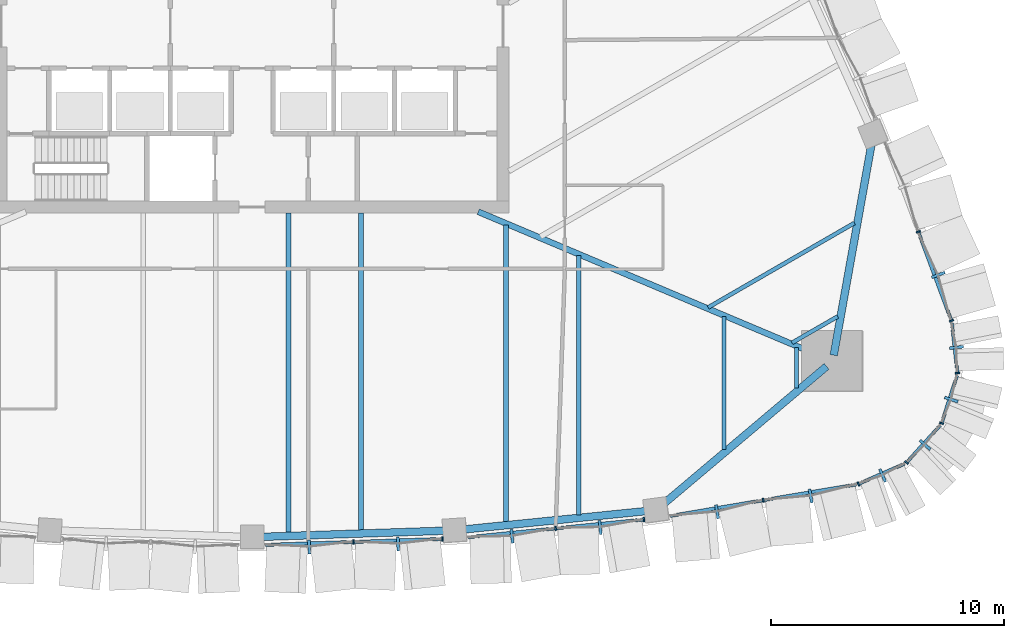
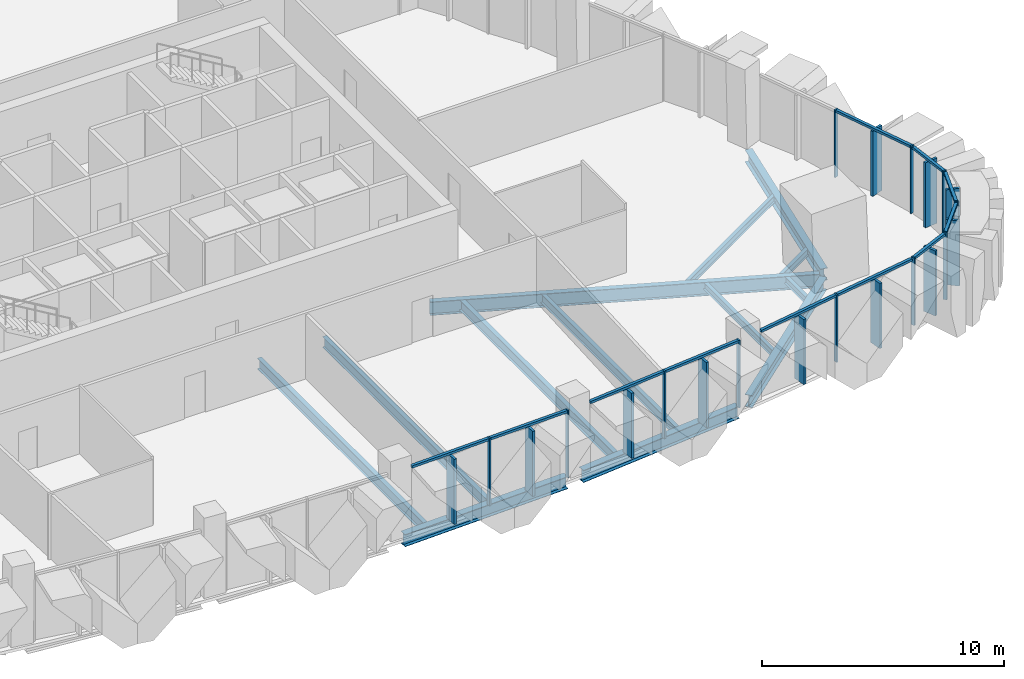
# One storey, part 4 of 18: 33 members, 13 beams, 8 elements without a shape of their own.
"""IFC4 building model written with IfcOpenShell, lengths in metres."""

from ifc_helpers import new_model, si_unit, direction, frame, origin, origin_2d, place, context, subcontext, project, spatial, rectangle, i_section, extrude, material, layer, layer_set, material_profile, profile_set, type_object, element, aggregate, save


model = new_model("IFC4")

# Units and contexts
model_context = context("Model", 3, precision=1e-05, world=origin(), true_north=direction((0.0, 1.0)))
body_context = subcontext(model_context, "Body", "Model", "MODEL_VIEW")
ifc_project = project(units=[si_unit("LENGTHUNIT", "METRE"), si_unit("AREAUNIT", "SQUARE_METRE"), si_unit("VOLUMEUNIT", "CUBIC_METRE"), si_unit("PLANEANGLEUNIT", "RADIAN"), si_unit("MASSUNIT", "GRAM", prefix="KILO")], contexts=[model_context])

# Site, building, storey
site_placement = place(None, origin())
site = spatial("IfcSite", under=ifc_project, at=site_placement, CompositionType="ELEMENT")
building_placement = place(site_placement, origin())
building = spatial("IfcBuilding", under=site, at=building_placement, Name="Sierra Prisma Convention Tower", CompositionType="ELEMENT")
storey_placement = place(building_placement, frame((0.0, 0.0, 133.800048828125)))
storey = spatial("IfcBuildingStorey", under=building, at=storey_placement, Name="L28", CompositionType="ELEMENT", Elevation=133.800048828125)

# Curtain wall, members
ifc_material_1 = material(Name="Aluminium and glass curtain wall", Category="aluminium")
ifc_layer = layer(ifc_material_1, 0.179931640625)
ifc_layer_set = layer_set([ifc_layer], Name="CW-2 Faceted crystal curtain wall")
curtain_wall_type = type_object("IfcCurtainWallType", Name="CW-2 Faceted crystal curtain wall", PredefinedType="NOTDEFINED", material=ifc_layer_set)
curtain_wall_1_placement = place(storey_placement, origin())
curtain_wall_1 = element("IfcCurtainWall", 1, at=curtain_wall_1_placement, inside=storey, type_object=curtain_wall_type, Name="CW-2 S4 L28", PredefinedType="NOTDEFINED")
ifc_material_2 = material(Name="Aluminium 6063-T6 bronze anodised", Category="aluminium")
ifc_material_profile_1 = material_profile(ifc_material_2, rectangle(XDim=0.1201171875, YDim=0.60009765625, at=origin_2d()), Name="ALU RIDGE BLADE 120x600")
ifc_profile_set_1 = profile_set([ifc_material_profile_1], Name="Aluminium 6063-T6 bronze anodised")
member_type_1 = type_object("IfcMemberType", Name="CW hip bronze", PredefinedType="MULLION", material=ifc_profile_set_1)
member_1_placement = place(storey_placement, frame((2.444091796875, -22.309814453125, 0.0), z_axis=(0.0, 0.0, 1.0), x_axis=(0.999439512946, 0.03347625968, 0.0)))
member_1 = element("IfcMember", 2, at=member_1_placement, type_object=member_type_1, Name="CW-2 ridge S4.1", PredefinedType="MULLION", context=body_context, shape_type="SweptSolid", body=[
    extrude(rectangle(XDim=0.1201171875, YDim=0.60009765625, at=origin_2d()), origin(), (0.0, 0.0, 1.0), 3.280029296875),
])
member_2_placement = place(storey_placement, frame((6.2529296875, -22.18212890625, 0.0), z_axis=(0.0, 0.0, 1.0), x_axis=(0.999439512946, 0.03347625968, 0.0)))
member_2 = element("IfcMember", 3, at=member_2_placement, type_object=member_type_1, Name="CW-2 ridge S4.2", PredefinedType="MULLION", context=body_context, shape_type="SweptSolid", body=[
    extrude(rectangle(XDim=0.1201171875, YDim=0.60009765625, at=origin_2d()), origin(), (0.0, 0.0, 1.0), 3.280029296875),
])

curtain_wall_2_placement = place(storey_placement, origin())
curtain_wall_2 = element("IfcCurtainWall", 4, at=curtain_wall_2_placement, inside=storey, type_object=curtain_wall_type, Name="CW-2 S5 L28", PredefinedType="NOTDEFINED")
member_3_placement = place(storey_placement, frame((11.134765625, -21.854736328125, 0.0), z_axis=(0.0, 0.0, 1.0), x_axis=(0.994959385557, 0.100278717041, 0.0)))
member_3 = element("IfcMember", 5, at=member_3_placement, type_object=member_type_1, Name="CW-2 ridge S5.1", PredefinedType="MULLION", context=body_context, shape_type="SweptSolid", body=[
    extrude(rectangle(XDim=0.1201171875, YDim=0.60009765625, at=origin_2d()), origin(), (0.0, 0.0, 1.0), 3.280029296875),
])
member_4_placement = place(storey_placement, frame((14.91064453125, -21.474365234375, 0.0), z_axis=(0.0, 0.0, 1.0), x_axis=(0.994959385557, 0.100278717041, 0.0)))
member_4 = element("IfcMember", 6, at=member_4_placement, type_object=member_type_1, Name="CW-2 ridge S5.2", PredefinedType="MULLION", context=body_context, shape_type="SweptSolid", body=[
    extrude(rectangle(XDim=0.1201171875, YDim=0.60009765625, at=origin_2d()), origin(), (0.0, 0.0, 1.0), 3.280029296875),
])

curtain_wall_3_placement = place(storey_placement, origin())
curtain_wall_3 = element("IfcCurtainWall", 7, at=curtain_wall_3_placement, inside=storey, type_object=curtain_wall_type, Name="CW-2 S6 L28", PredefinedType="NOTDEFINED")
member_5_placement = place(storey_placement, frame((19.919921875, -20.80712890625, 0.0), z_axis=(0.0, 0.0, 1.0), x_axis=(0.986019213577, 0.16663166103, 0.0)))
member_5 = element("IfcMember", 8, at=member_5_placement, type_object=member_type_1, Name="CW-2 ridge S6.1", PredefinedType="MULLION", context=body_context, shape_type="SweptSolid", body=[
    extrude(rectangle(XDim=0.1201171875, YDim=0.60009765625, at=origin_2d()), origin(), (0.0, 0.0, 1.0), 3.280029296875),
])
member_6_placement = place(storey_placement, frame((23.930419921875, -20.12939453125, 0.0), z_axis=(0.0, 0.0, 1.0), x_axis=(0.986019213577, 0.16663166103, 0.0)))
member_6 = element("IfcMember", 9, at=member_6_placement, type_object=member_type_1, Name="CW-2 ridge S6.2", PredefinedType="MULLION", context=body_context, shape_type="SweptSolid", body=[
    extrude(rectangle(XDim=0.1201171875, YDim=0.60009765625, at=origin_2d()), origin(), (0.0, 0.0, 1.0), 3.280029296875),
])

# Curtain wall, member
curtain_wall_4_placement = place(storey_placement, origin())
curtain_wall_4 = element("IfcCurtainWall", 10, at=curtain_wall_4_placement, inside=storey, type_object=curtain_wall_type, Name="CW-2 SE1 L28", PredefinedType="NOTDEFINED")
member_7_placement = place(storey_placement, frame((27.01220703125, -19.253173828125, 0.0), z_axis=(0.0, 0.0, 1.0), x_axis=(0.916133177645, 0.400874046076, 0.0)))
member_7 = element("IfcMember", 11, at=member_7_placement, type_object=member_type_1, Name="CW-2 ridge SE1.1", PredefinedType="MULLION", context=body_context, shape_type="SweptSolid", body=[
    extrude(rectangle(XDim=0.1201171875, YDim=0.60009765625, at=origin_2d()), origin(), (0.0, 0.0, 1.0), 3.280029296875),
])

curtain_wall_5_placement = place(storey_placement, origin())
curtain_wall_5 = element("IfcCurtainWall", 12, at=curtain_wall_5_placement, inside=storey, type_object=curtain_wall_type, Name="CW-2 SE2 L28", PredefinedType="NOTDEFINED")
member_8_placement = place(storey_placement, frame((28.8330078125, -17.942138671875, 0.0), z_axis=(0.0, 0.0, 1.0), x_axis=(0.670716513498, 0.741713798254, 0.0)))
member_8 = element("IfcMember", 13, at=member_8_placement, type_object=member_type_1, Name="CW-2 ridge SE2.1", PredefinedType="MULLION", context=body_context, shape_type="SweptSolid", body=[
    extrude(rectangle(XDim=0.1201171875, YDim=0.60009765625, at=origin_2d()), origin(), (0.0, 0.0, 1.0), 3.280029296875),
])

curtain_wall_6_placement = place(storey_placement, origin())
curtain_wall_6 = element("IfcCurtainWall", 14, at=curtain_wall_6_placement, inside=storey, type_object=curtain_wall_type, Name="CW-2 SE3 L28", PredefinedType="NOTDEFINED")
member_9_placement = place(storey_placement, frame((29.954833984375, -15.9990234375, 0.0), z_axis=(0.0, 0.0, 1.0), x_axis=(0.306984734877, 0.951714438554, 0.0)))
member_9 = element("IfcMember", 15, at=member_9_placement, type_object=member_type_1, Name="CW-2 ridge SE3.1", PredefinedType="MULLION", context=body_context, shape_type="SweptSolid", body=[
    extrude(rectangle(XDim=0.1201171875, YDim=0.60009765625, at=origin_2d()), origin(), (0.0, 0.0, 1.0), 3.280029296875),
])

curtain_wall_7_placement = place(storey_placement, origin())
curtain_wall_7 = element("IfcCurtainWall", 16, at=curtain_wall_7_placement, inside=storey, type_object=curtain_wall_type, Name="CW-2 SE4 L28", PredefinedType="NOTDEFINED")
member_10_placement = place(storey_placement, frame((30.1796875, -13.7666015625, 0.0), z_axis=(0.0, 0.0, 1.0), x_axis=(-0.110899481203, 0.993831628129, 0.0)))
member_10 = element("IfcMember", 17, at=member_10_placement, type_object=member_type_1, Name="CW-2 ridge SE4.1", PredefinedType="MULLION", context=body_context, shape_type="SweptSolid", body=[
    extrude(rectangle(XDim=0.1201171875, YDim=0.60009765625, at=origin_2d()), origin(), (0.0, 0.0, 1.0), 3.280029296875),
])

curtain_wall_8_placement = place(storey_placement, origin())
curtain_wall_8 = element("IfcCurtainWall", 18, at=curtain_wall_8_placement, inside=storey, type_object=curtain_wall_type, Name="CW-2 NE1 L28", PredefinedType="NOTDEFINED")
member_11_placement = place(storey_placement, frame((29.397705078125, -10.65966796875, 0.0), z_axis=(0.0, 0.0, 1.0), x_axis=(-0.348702355262, 0.937233518092, 0.0)))
member_11 = element("IfcMember", 19, at=member_11_placement, type_object=member_type_1, Name="CW-2 ridge NE1.1", PredefinedType="MULLION", context=body_context, shape_type="SweptSolid", body=[
    extrude(rectangle(XDim=0.1201171875, YDim=0.60009765625, at=origin_2d()), origin(), (0.0, 0.0, 1.0), 3.280029296875),
])

# Member
ifc_material_3 = material(Name="Aluminium 6063-T6 bronze anodised", Category="aluminium")
ifc_material_profile_2 = material_profile(ifc_material_3, rectangle(XDim=0.179931640625, YDim=0.070068359375, at=origin_2d()), Name="ALU MULLION 70x180")
ifc_profile_set_2 = profile_set([ifc_material_profile_2], Name="Aluminium 6063-T6 bronze anodised")
member_type_2 = type_object("IfcMemberType", Name="CW mullion bronze", PredefinedType="MULLION", material=ifc_profile_set_2)
member_12_placement = place(storey_placement, frame((4.343505859375, -22.098876953125, 0.0), z_axis=(0.0, 0.0, 1.0), x_axis=(-0.03347625968, 0.999439512946, 0.0)))
member_12 = element("IfcMember", 20, at=member_12_placement, type_object=member_type_2, Name="CW-1 mullion S4.2", PredefinedType="MULLION", context=body_context, shape_type="SweptSolid", body=[
    extrude(rectangle(XDim=0.179931640625, YDim=0.070068359375, at=origin_2d()), origin(), (0.0, 0.0, 1.0), 3.39990234375),
])

member_13_placement = place(storey_placement, frame((8.152587890625, -21.97119140625, 0.0), z_axis=(0.0, 0.0, 1.0), x_axis=(-0.03347625968, 0.999439512946, 0.0)))
member_13 = element("IfcMember", 21, at=member_13_placement, type_object=member_type_2, Name="CW-1 mullion S4.3", PredefinedType="MULLION", context=body_context, shape_type="SweptSolid", body=[
    extrude(rectangle(XDim=0.179931640625, YDim=0.070068359375, at=origin_2d()), origin(), (0.0, 0.0, 1.0), 3.39990234375),
])

member_14_placement = place(storey_placement, frame((13.008056640625, -21.518798828125, 0.0), z_axis=(0.0, 0.0, 1.0), x_axis=(-0.100278717041, 0.994959385557, 0.0)))
member_14 = element("IfcMember", 22, at=member_14_placement, type_object=member_type_2, Name="CW-1 mullion S5.2", PredefinedType="MULLION", context=body_context, shape_type="SweptSolid", body=[
    extrude(rectangle(XDim=0.179931640625, YDim=0.070068359375, at=origin_2d()), origin(), (0.0, 0.0, 1.0), 3.39990234375),
])

member_15_placement = place(storey_placement, frame((16.783935546875, -21.13818359375, 0.0), z_axis=(0.0, 0.0, 1.0), x_axis=(-0.100278717041, 0.994959385557, 0.0)))
member_15 = element("IfcMember", 23, at=member_15_placement, type_object=member_type_2, Name="CW-1 mullion S5.3", PredefinedType="MULLION", context=body_context, shape_type="SweptSolid", body=[
    extrude(rectangle(XDim=0.179931640625, YDim=0.070068359375, at=origin_2d()), origin(), (0.0, 0.0, 1.0), 3.39990234375),
])

member_16_placement = place(storey_placement, frame((21.89892578125, -20.31298828125, 0.0), z_axis=(0.0, 0.0, 1.0), x_axis=(-0.16663166103, 0.986019213577, 0.0)))
member_16 = element("IfcMember", 24, at=member_16_placement, type_object=member_type_2, Name="CW-1 mullion S6.2", PredefinedType="MULLION", context=body_context, shape_type="SweptSolid", body=[
    extrude(rectangle(XDim=0.179931640625, YDim=0.070068359375, at=origin_2d()), origin(), (0.0, 0.0, 1.0), 3.39990234375),
])

member_17_placement = place(storey_placement, frame((25.97607421875, -19.615478515625, 0.0), z_axis=(0.0, 0.0, 1.0), x_axis=(-0.400874046076, 0.916133177645, 0.0)))
member_17 = element("IfcMember", 25, at=member_17_placement, type_object=member_type_2, Name="CW-1 mullion SE1.1", PredefinedType="MULLION", context=body_context, shape_type="SweptSolid", body=[
    extrude(rectangle(XDim=0.179931640625, YDim=0.070068359375, at=origin_2d()), origin(), (0.0, 0.0, 1.0), 3.39990234375),
])

member_18_placement = place(storey_placement, frame((28.036865234375, -18.697998046875, 0.0), z_axis=(0.0, 0.0, 1.0), x_axis=(-0.741713798254, 0.670716513498, 0.0)))
member_18 = element("IfcMember", 26, at=member_18_placement, type_object=member_type_2, Name="CW-1 mullion SE2.1", PredefinedType="MULLION", context=body_context, shape_type="SweptSolid", body=[
    extrude(rectangle(XDim=0.179931640625, YDim=0.070068359375, at=origin_2d()), origin(), (0.0, 0.0, 1.0), 3.39990234375),
])

member_19_placement = place(storey_placement, frame((29.539306640625, -17.01513671875, 0.0), z_axis=(0.0, 0.0, 1.0), x_axis=(-0.951714438554, 0.306984734877, 0.0)))
member_19 = element("IfcMember", 27, at=member_19_placement, type_object=member_type_2, Name="CW-1 mullion SE3.1", PredefinedType="MULLION", context=body_context, shape_type="SweptSolid", body=[
    extrude(rectangle(XDim=0.179931640625, YDim=0.070068359375, at=origin_2d()), origin(), (0.0, 0.0, 1.0), 3.39990234375),
])

member_20_placement = place(storey_placement, frame((30.21826171875, -14.86376953125, 0.0), z_axis=(0.0, 0.0, 1.0), x_axis=(-0.993831628129, -0.110899481203, 0.0)))
member_20 = element("IfcMember", 28, at=member_20_placement, type_object=member_type_2, Name="CW-1 mullion SE4.1", PredefinedType="MULLION", context=body_context, shape_type="SweptSolid", body=[
    extrude(rectangle(XDim=0.179931640625, YDim=0.070068359375, at=origin_2d()), origin(), (0.0, 0.0, 1.0), 3.39990234375),
])

member_21_placement = place(storey_placement, frame((29.95947265625, -12.62060546875, 0.0), z_axis=(0.0, 0.0, 1.0), x_axis=(-0.937233518092, -0.348702355262, 0.0)))
member_21 = element("IfcMember", 29, at=member_21_placement, type_object=member_type_2, Name="CW-1 mullion NE1.1", PredefinedType="MULLION", context=body_context, shape_type="SweptSolid", body=[
    extrude(rectangle(XDim=0.179931640625, YDim=0.070068359375, at=origin_2d()), origin(), (0.0, 0.0, 1.0), 3.39990234375),
])

member_22_placement = place(storey_placement, frame((28.541015625, -8.808349609375, 0.0), z_axis=(0.0, 0.0, 1.0), x_axis=(-0.937233518092, -0.348702355262, 0.0)))
member_22 = element("IfcMember", 30, at=member_22_placement, type_object=member_type_2, Name="CW-1 mullion NE1.2", PredefinedType="MULLION", context=body_context, shape_type="SweptSolid", body=[
    extrude(rectangle(XDim=0.179931640625, YDim=0.070068359375, at=origin_2d()), origin(), (0.0, 0.0, 1.0), 3.39990234375),
])

ifc_material_4 = material(Name="Aluminium 6063-T6 bronze anodised", Category="aluminium")
ifc_material_profile_3 = material_profile(ifc_material_4, rectangle(XDim=0.139892578125, YDim=0.1201171875, at=origin_2d()), Name="ALU TRANSOM 120x140")
ifc_profile_set_3 = profile_set([ifc_material_profile_3], Name="Aluminium 6063-T6 bronze anodised")
member_type_3 = type_object("IfcMemberType", Name="CW transom bronze", PredefinedType="USERDEFINED", material=ifc_profile_set_3)
member_23_placement = place(storey_placement, frame((0.569580078125, -22.22509765625, 3.33984375), z_axis=(0.99943946149, 0.03347779587, 0.0), x_axis=(-0.03347779587, 0.99943946149, 0.0)))
member_23 = element("IfcMember", 31, at=member_23_placement, type_object=member_type_3, Name="CW-1 transom S4.1", ObjectType="TRANSOM", PredefinedType="USERDEFINED", context=body_context, shape_type="SweptSolid", body=[
    extrude(rectangle(XDim=0.139892578125, YDim=0.1201171875, at=origin_2d()), origin(), (0.0, 0.0, 1.0), 3.7412109375),
])

member_24_placement = place(storey_placement, frame((4.378662109375, -22.09765625, 3.33984375), z_axis=(0.999439388343, 0.03347997951, 0.0), x_axis=(-0.03347997951, 0.999439388343, 0.0)))
member_24 = element("IfcMember", 32, at=member_24_placement, type_object=member_type_3, Name="CW-1 transom S4.2", ObjectType="TRANSOM", PredefinedType="USERDEFINED", context=body_context, shape_type="SweptSolid", body=[
    extrude(rectangle(XDim=0.139892578125, YDim=0.1201171875, at=origin_2d()), origin(), (0.0, 0.0, 1.0), 3.740966796875),
])

aggregate(curtain_wall_1, [member_12, member_13, member_23, member_1, member_24, member_2])

member_25_placement = place(storey_placement, frame((9.26708984375, -21.895751953125, 3.33984375), z_axis=(0.994959011334, 0.100282429996, 0.0), x_axis=(-0.100282429996, 0.994959011334, 0.0)))
member_25 = element("IfcMember", 33, at=member_25_placement, type_object=member_type_3, Name="CW-1 transom S5.1", ObjectType="TRANSOM", PredefinedType="USERDEFINED", context=body_context, shape_type="SweptSolid", body=[
    extrude(rectangle(XDim=0.139892578125, YDim=0.1201171875, at=origin_2d()), origin(), (0.0, 0.0, 1.0), 3.724853515625),
])

member_26_placement = place(storey_placement, frame((13.04296875, -21.51513671875, 3.33984375), z_axis=(0.994959011334, 0.100282429996, 0.0), x_axis=(-0.100282429996, 0.994959011334, 0.0)))
member_26 = element("IfcMember", 34, at=member_26_placement, type_object=member_type_3, Name="CW-1 transom S5.2", ObjectType="TRANSOM", PredefinedType="USERDEFINED", context=body_context, shape_type="SweptSolid", body=[
    extrude(rectangle(XDim=0.139892578125, YDim=0.1201171875, at=origin_2d()), origin(), (0.0, 0.0, 1.0), 3.724853515625),
])

aggregate(curtain_wall_2, [member_14, member_15, member_25, member_3, member_26, member_4])

member_27_placement = place(storey_placement, frame((17.9228515625, -20.985107421875, 3.33984375), z_axis=(0.986011631577, 0.166676520229, 0.0), x_axis=(-0.166676520229, 0.986011631577, 0.0)))
member_27 = element("IfcMember", 35, at=member_27_placement, type_object=member_type_3, Name="CW-1 transom S6.1", ObjectType="TRANSOM", PredefinedType="USERDEFINED", context=body_context, shape_type="SweptSolid", body=[
    extrude(rectangle(XDim=0.139892578125, YDim=0.1201171875, at=origin_2d()), origin(), (0.0, 0.0, 1.0), 3.997314453125),
])

member_28_placement = place(storey_placement, frame((21.933349609375, -20.30712890625, 3.33984375), z_axis=(0.986023362845, 0.166607106463, 0.0), x_axis=(-0.166607106463, 0.986023362845, 0.0)))
member_28 = element("IfcMember", 36, at=member_28_placement, type_object=member_type_3, Name="CW-1 transom S6.2", ObjectType="TRANSOM", PredefinedType="USERDEFINED", context=body_context, shape_type="SweptSolid", body=[
    extrude(rectangle(XDim=0.139892578125, YDim=0.1201171875, at=origin_2d()), origin(), (0.0, 0.0, 1.0), 3.99755859375),
])

aggregate(curtain_wall_3, [member_16, member_27, member_5, member_28, member_6])

member_29_placement = place(storey_placement, frame((26.008056640625, -19.601318359375, 3.33984375), z_axis=(0.916157334902, 0.40081883402, 0.0), x_axis=(-0.40081883402, 0.916157334902, 0.0)))
member_29 = element("IfcMember", 37, at=member_29_placement, type_object=member_type_3, Name="CW-1 transom SE1.1", ObjectType="TRANSOM", PredefinedType="USERDEFINED", context=body_context, shape_type="SweptSolid", body=[
    extrude(rectangle(XDim=0.139892578125, YDim=0.1201171875, at=origin_2d()), origin(), (0.0, 0.0, 1.0), 2.119140625),
])

aggregate(curtain_wall_4, [member_17, member_29, member_7])

member_30_placement = place(storey_placement, frame((28.060546875, -18.671875, 3.33984375), z_axis=(0.670726241164, 0.74170500161, 0.0), x_axis=(-0.74170500161, 0.670726241164, 0.0)))
member_30 = element("IfcMember", 38, at=member_30_placement, type_object=member_type_3, Name="CW-1 transom SE2.1", ObjectType="TRANSOM", PredefinedType="USERDEFINED", context=body_context, shape_type="SweptSolid", body=[
    extrude(rectangle(XDim=0.139892578125, YDim=0.1201171875, at=origin_2d()), origin(), (0.0, 0.0, 1.0), 2.118896484375),
])

aggregate(curtain_wall_5, [member_18, member_30, member_8])

member_31_placement = place(storey_placement, frame((29.550048828125, -16.981689453125, 3.33984375), z_axis=(0.307053275155, 0.951692327497, 0.0), x_axis=(-0.951692327497, 0.307053275155, 0.0)))
member_31 = element("IfcMember", 39, at=member_31_placement, type_object=member_type_3, Name="CW-1 transom SE3.1", ObjectType="TRANSOM", PredefinedType="USERDEFINED", context=body_context, shape_type="SweptSolid", body=[
    extrude(rectangle(XDim=0.139892578125, YDim=0.1201171875, at=origin_2d()), origin(), (0.0, 0.0, 1.0), 2.118896484375),
])

aggregate(curtain_wall_6, [member_19, member_31, member_9])

member_32_placement = place(storey_placement, frame((30.21435546875, -14.828857421875, 3.33984375), z_axis=(-0.110949968848, 0.993825993025, 0.0), x_axis=(-0.993825993025, -0.110949968848, 0.0)))
member_32 = element("IfcMember", 40, at=member_32_placement, type_object=member_type_3, Name="CW-1 transom SE4.1", ObjectType="TRANSOM", PredefinedType="USERDEFINED", context=body_context, shape_type="SweptSolid", body=[
    extrude(rectangle(XDim=0.139892578125, YDim=0.1201171875, at=origin_2d()), origin(), (0.0, 0.0, 1.0), 2.119140625),
])

aggregate(curtain_wall_7, [member_20, member_32, member_10])

member_33_placement = place(storey_placement, frame((29.947265625, -12.587646484375, 3.33984375), z_axis=(-0.348746188403, 0.937217208589, 0.0), x_axis=(-0.937217208589, -0.348746188403, 0.0)))
member_33 = element("IfcMember", 41, at=member_33_placement, type_object=member_type_3, Name="CW-1 transom NE1.1", ObjectType="TRANSOM", PredefinedType="USERDEFINED", context=body_context, shape_type="SweptSolid", body=[
    extrude(rectangle(XDim=0.139892578125, YDim=0.1201171875, at=origin_2d()), origin(), (0.0, 0.0, 1.0), 3.997314453125),
])

aggregate(curtain_wall_8, [member_21, member_22, member_33, member_11])

# Beams
ifc_material_5 = material(Name="Steel ASTM A992 Gr 50", Category="steel")
ifc_material_profile_4 = material_profile(ifc_material_5, i_section(OverallWidth=0.172119140625, OverallDepth=0.35791015625, WebThickness=0.0078125, FlangeThickness=0.01318359375, at=origin_2d()), Name="W360x57")
ifc_profile_set_4 = profile_set([ifc_material_profile_4], Name="Steel ASTM A992 Gr 50")
beam_type_1 = type_object("IfcBeamType", Name="Floor joist W360x57", PredefinedType="JOIST", material=ifc_profile_set_4)
beam_1_placement = place(storey_placement, frame((20.20751953125, -18.1298828125, -0.3291015625), z_axis=(0.0, 1.0, 0.0), x_axis=(-1.0, 0.0, 0.0)))
element("IfcBeam", 42, at=beam_1_placement, inside=storey, type_object=beam_type_1, Name="Floor joist L28 S15", PredefinedType="JOIST", context=body_context, shape_type="SweptSolid", body=[
    extrude(i_section(OverallWidth=0.172119140625, OverallDepth=0.35791015625, WebThickness=0.0078125, FlangeThickness=0.01318359375, at=origin_2d()), origin(), (0.0, 0.0, 1.0), 5.683349609375),
])
beam_2_placement = place(storey_placement, frame((23.316162109375, -15.507568359375, -0.3291015625), z_axis=(0.0, 1.0, 0.0), x_axis=(-1.0, 0.0, 0.0)))
element("IfcBeam", 43, at=beam_2_placement, inside=storey, type_object=beam_type_1, Name="Floor joist L28 S16", PredefinedType="JOIST", context=body_context, shape_type="SweptSolid", body=[
    extrude(i_section(OverallWidth=0.172119140625, OverallDepth=0.35791015625, WebThickness=0.0078125, FlangeThickness=0.01318359375, at=origin_2d()), origin(), (0.0, 0.0, 1.0), 1.749267578125),
])
beam_3_placement = place(storey_placement, frame((25.088134765625, -12.438720703125, -0.3291015625), z_axis=(-0.866048957103, -0.499959202237, 0.0), x_axis=(0.499959202237, -0.866048957103, 0.0)))
element("IfcBeam", 44, at=beam_3_placement, inside=storey, type_object=beam_type_1, Name="Floor joist L28 NE01", PredefinedType="JOIST", context=body_context, shape_type="SweptSolid", body=[
    extrude(i_section(OverallWidth=0.172119140625, OverallDepth=0.35791015625, WebThickness=0.0078125, FlangeThickness=0.01318359375, at=origin_2d()), origin(), (0.0, 0.0, 1.0), 2.261474609375),
])
beam_4_placement = place(storey_placement, frame((25.8046875, -8.43505859375, -0.3291015625), z_axis=(-0.866027722941, -0.499995983082, 0.0), x_axis=(0.499995983082, -0.866027722941, 0.0)))
element("IfcBeam", 45, at=beam_4_placement, inside=storey, type_object=beam_type_1, Name="Floor joist L28 NE02", PredefinedType="JOIST", context=body_context, shape_type="SweptSolid", body=[
    extrude(i_section(OverallWidth=0.172119140625, OverallDepth=0.35791015625, WebThickness=0.0078125, FlangeThickness=0.01318359375, at=origin_2d()), origin(), (0.0, 0.0, 1.0), 7.23681640625),
])
ifc_material_6 = material(Name="Steel ASTM A992 Gr 50", Category="steel")
ifc_material_profile_5 = material_profile(ifc_material_6, i_section(OverallWidth=0.18994140625, OverallDepth=0.45703125, WebThickness=0.009033203125, FlangeThickness=0.014404296875, at=origin_2d()), Name="W460x74")
ifc_profile_set_5 = profile_set([ifc_material_profile_5], Name="Steel ASTM A992 Gr 50")
beam_type_2 = type_object("IfcBeamType", Name="Floor joist W460x74", PredefinedType="JOIST", material=ifc_profile_set_5)
beam_5_placement = place(storey_placement, frame((13.98974609375, -20.954833984375, -0.378662109375), z_axis=(0.0, 1.0, 0.0), x_axis=(-1.0, 0.0, 0.0)))
element("IfcBeam", 46, at=beam_5_placement, inside=storey, type_object=beam_type_2, Name="Floor joist L28 S13", PredefinedType="JOIST", context=body_context, shape_type="SweptSolid", body=[
    extrude(i_section(OverallWidth=0.18994140625, OverallDepth=0.45703125, WebThickness=0.009033203125, FlangeThickness=0.014404296875, at=origin_2d()), origin(), (0.0, 0.0, 1.0), 11.1318359375),
])
ifc_material_7 = material(Name="Steel ASTM A992 Gr 50", Category="steel")
ifc_material_profile_6 = material_profile(ifc_material_7, i_section(OverallWidth=0.208984375, OverallDepth=0.532958984375, WebThickness=0.01025390625, FlangeThickness=0.015625, at=origin_2d()), Name="W530x92")
ifc_profile_set_6 = profile_set([ifc_material_profile_6], Name="Steel ASTM A992 Gr 50")
beam_type_3 = type_object("IfcBeamType", Name="Floor joist W530x92", PredefinedType="JOIST", material=ifc_profile_set_6)
beam_6_placement = place(storey_placement, frame((1.554443359375, -21.729736328125, -0.41650390625), z_axis=(0.0, 1.0, 0.0), x_axis=(-1.0, 0.0, 0.0)))
element("IfcBeam", 47, at=beam_6_placement, inside=storey, type_object=beam_type_3, Name="Floor joist L28 S09", PredefinedType="JOIST", context=body_context, shape_type="SweptSolid", body=[
    extrude(i_section(OverallWidth=0.208984375, OverallDepth=0.532958984375, WebThickness=0.01025390625, FlangeThickness=0.015625, at=origin_2d()), origin(), (0.0, 0.0, 1.0), 13.729736328125),
])
beam_7_placement = place(storey_placement, frame((4.663330078125, -21.62548828125, -0.41650390625), z_axis=(0.0, 1.0, 0.0), x_axis=(-1.0, 0.0, 0.0)))
element("IfcBeam", 48, at=beam_7_placement, inside=storey, type_object=beam_type_3, Name="Floor joist L28 S10", PredefinedType="JOIST", context=body_context, shape_type="SweptSolid", body=[
    extrude(i_section(OverallWidth=0.208984375, OverallDepth=0.532958984375, WebThickness=0.01025390625, FlangeThickness=0.015625, at=origin_2d()), origin(), (0.0, 0.0, 1.0), 13.62548828125),
])
beam_8_placement = place(storey_placement, frame((10.880859375, -21.268310546875, -0.41650390625), z_axis=(0.0, 1.0, 0.0), x_axis=(-1.0, 0.0, 0.0)))
element("IfcBeam", 49, at=beam_8_placement, inside=storey, type_object=beam_type_3, Name="Floor joist L28 S12", PredefinedType="JOIST", context=body_context, shape_type="SweptSolid", body=[
    extrude(i_section(OverallWidth=0.208984375, OverallDepth=0.532958984375, WebThickness=0.01025390625, FlangeThickness=0.015625, at=origin_2d()), origin(), (0.0, 0.0, 1.0), 12.757080078125),
])
ifc_material_8 = material(Name="Steel ASTM A992 Gr 50", Category="steel")
ifc_material_profile_7 = material_profile(ifc_material_8, i_section(OverallWidth=0.25390625, OverallDepth=0.68408203125, WebThickness=0.012451171875, FlangeThickness=0.018798828125, at=origin_2d()), Name="W690x140")
ifc_profile_set_7 = profile_set([ifc_material_profile_7], Name="Steel ASTM A992 Gr 50")
beam_type_4 = type_object("IfcBeamType", Name="Radial girder W690x140", PredefinedType="BEAM", material=ifc_profile_set_7)
beam_9_placement = place(storey_placement, frame((24.610595703125, -14.249267578125, -0.491943359375), z_axis=(-0.921341129681, 0.388755093546, 0.0), x_axis=(-0.388755093546, -0.921341129681, 0.0)))
element("IfcBeam", 50, at=beam_9_placement, inside=storey, type_object=beam_type_4, Name="Radial girder L28 SE", PredefinedType="BEAM", context=body_context, shape_type="SweptSolid", body=[
    extrude(i_section(OverallWidth=0.25390625, OverallDepth=0.68408203125, WebThickness=0.012451171875, FlangeThickness=0.018798828125, at=origin_2d()), origin(), (0.0, 0.0, 1.0), 16.195068359375),
])
ifc_material_9 = material(Name="Steel ASTM A992 Gr 50", Category="steel")
ifc_material_profile_8 = material_profile(ifc_material_9, i_section(OverallWidth=0.324951171875, OverallDepth=0.615966796875, WebThickness=0.013916015625, FlangeThickness=0.021484375, at=origin_2d()), Name="W610x174")
ifc_profile_set_8 = profile_set([ifc_material_profile_8], Name="Steel ASTM A992 Gr 50")
beam_type_5 = type_object("IfcBeamType", Name="Spandrel beam W610x174", PredefinedType="BEAM", material=ifc_profile_set_8)
beam_10_placement = place(storey_placement, frame((0.380126953125, -21.881591796875, -0.4580078125), z_axis=(0.999439591785, 0.033473905834, 0.0), x_axis=(-0.033473905834, 0.999439591785, 0.0)))
element("IfcBeam", 51, at=beam_10_placement, inside=storey, type_object=beam_type_5, Name="Spandrel L28-04", PredefinedType="BEAM", context=body_context, shape_type="SweptSolid", body=[
    extrude(i_section(OverallWidth=0.324951171875, OverallDepth=0.615966796875, WebThickness=0.013916015625, FlangeThickness=0.021484375, at=origin_2d()), origin(), (0.0, 0.0, 1.0), 7.920654296875),
])
beam_11_placement = place(storey_placement, frame((9.054931640625, -21.565673828125, -0.4580078125), z_axis=(0.994957528228, 0.100297143645, 0.0), x_axis=(-0.100297143645, 0.994957528228, 0.0)))
element("IfcBeam", 52, at=beam_11_placement, inside=storey, type_object=beam_type_5, Name="Spandrel L28-05", PredefinedType="BEAM", context=body_context, shape_type="SweptSolid", body=[
    extrude(i_section(OverallWidth=0.324951171875, OverallDepth=0.615966796875, WebThickness=0.013916015625, FlangeThickness=0.021484375, at=origin_2d()), origin(), (0.0, 0.0, 1.0), 7.9208984375),
])
beam_12_placement = place(storey_placement, frame((17.67529296875, -20.42822265625, -0.4580078125), z_axis=(0.764389699102, 0.644754517555, 0.0), x_axis=(-0.644754517555, 0.764389699102, 0.0)))
element("IfcBeam", 53, at=beam_12_placement, inside=storey, type_object=beam_type_5, Name="Spandrel L28-06", PredefinedType="BEAM", context=body_context, shape_type="SweptSolid", body=[
    extrude(i_section(OverallWidth=0.324951171875, OverallDepth=0.615966796875, WebThickness=0.013916015625, FlangeThickness=0.021484375, at=origin_2d()), origin(), (0.0, 0.0, 1.0), 9.072998046875),
])
beam_13_placement = place(storey_placement, frame((24.917236328125, -14.09912109375, -0.4580078125), z_axis=(0.176200693986, 0.984354263179, 0.0), x_axis=(-0.984354263179, 0.176200693986, 0.0)))
element("IfcBeam", 54, at=beam_13_placement, inside=storey, type_object=beam_type_5, Name="Spandrel L28-07", PredefinedType="BEAM", context=body_context, shape_type="SweptSolid", body=[
    extrude(i_section(OverallWidth=0.324951171875, OverallDepth=0.615966796875, WebThickness=0.013916015625, FlangeThickness=0.021484375, at=origin_2d()), origin(), (0.0, 0.0, 1.0), 9.14892578125),
])

save(model, "model.ifc")
